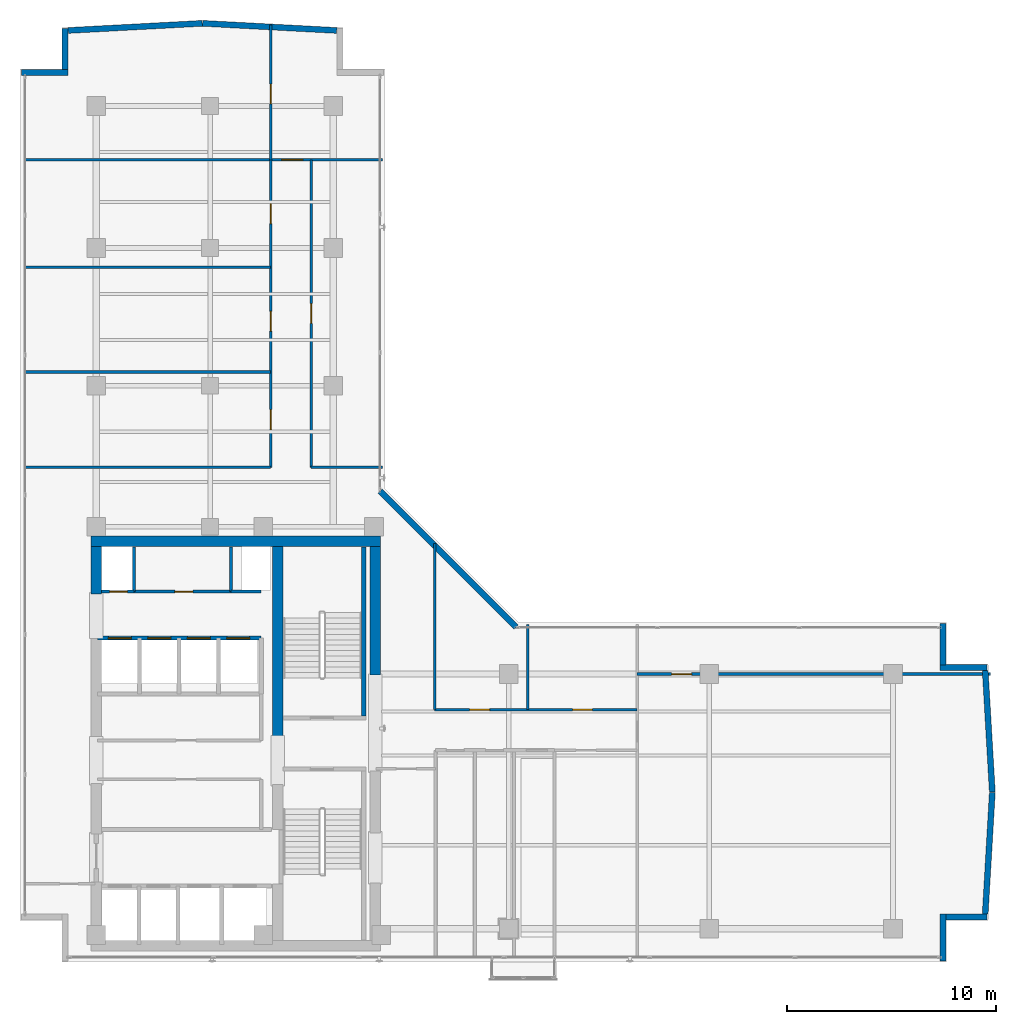
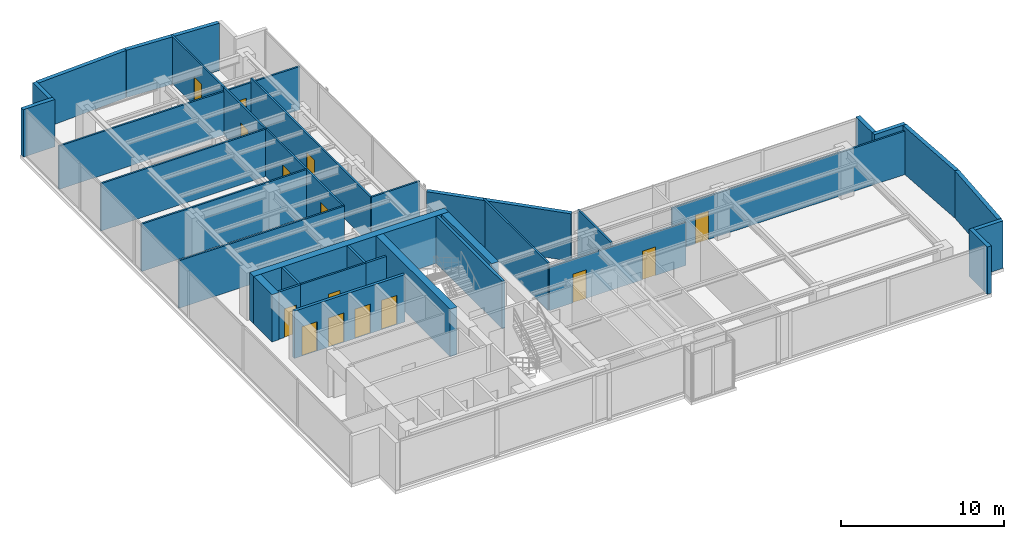
# One storey, part 18 of 22: 34 walls, 15 doors, 15 openings.
"""IFC4 building model written with IfcOpenShell, lengths in metres."""

from ifc_helpers import new_model, si_unit, direction, frame, frame_2d, origin, place, context, subcontext, project, spatial, rectangle, extrude, material, layer, layer_set, type_object, element, fill, save


model = new_model("IFC4")

# Units and contexts
model_context = context("Model", 3, precision=1e-05, world=origin(), true_north=direction((0.0, 1.0)))
body_context = subcontext(model_context, "Body", "Model", "MODEL_VIEW")
ifc_project = project(units=[si_unit("LENGTHUNIT", "METRE"), si_unit("AREAUNIT", "SQUARE_METRE"), si_unit("VOLUMEUNIT", "CUBIC_METRE"), si_unit("PLANEANGLEUNIT", "RADIAN"), si_unit("MASSUNIT", "GRAM", prefix="KILO")], contexts=[model_context])

# Site, building, storey
site_placement = place(None, origin())
site = spatial("IfcSite", under=ifc_project, at=site_placement, CompositionType="ELEMENT")
building_placement = place(site_placement, origin())
building = spatial("IfcBuilding", under=site, at=building_placement, Name="Kolvaren Waterfront Exchange", CompositionType="ELEMENT")
storey_placement = place(building_placement, frame((0.0, 0.0, 308.39990234375)))
storey = spatial("IfcBuildingStorey", under=building, at=storey_placement, Name="L79", CompositionType="ELEMENT", Elevation=308.39990234375)

# Walls
ifc_material_1 = material(Name="Precast concrete C40/50", Category="concrete")
ifc_layer_1 = layer(ifc_material_1, 0.280029296875, Name="Precast concrete C40/50")
ifc_layer_set_1 = layer_set([ifc_layer_1], Name="Precast concrete C40/50")
wall_type_1 = type_object("IfcWallType", Name="ARC-EXT-TERR-280", PredefinedType="SOLIDWALL", material=ifc_layer_set_1)
wall_1_placement = place(storey_placement, frame((47.997802734375, 3.659912109375, 0.0), z_axis=(0.0, 0.0, 1.0), x_axis=(0.0, 1.0, 0.0)))
element("IfcWall", 1, at=wall_1_placement, inside=storey, type_object=wall_type_1, Name="L79 notched corner spandrel pier SE-A", PredefinedType="SOLIDWALL", context=body_context, shape_type="SweptSolid", body=[
    extrude(rectangle(XDim=2.239990234375, YDim=0.280029296875, at=frame_2d((1.1201171875, 0.0))), origin(), (0.0, 0.0, 1.0), 3.56005859375),
])
wall_2_placement = place(storey_placement, frame((48.137939453125, 5.760009765625, 0.0), z_axis=(0.0, 0.0, 1.0), x_axis=(1.0, 0.0, 0.0)))
element("IfcWall", 2, at=wall_2_placement, inside=storey, type_object=wall_type_1, Name="L79 notched corner spandrel pier SE-B", PredefinedType="SOLIDWALL", context=body_context, shape_type="SweptSolid", body=[
    extrude(rectangle(XDim=1.9599609375, YDim=0.280029296875, at=frame_2d((0.97998046875, 0.0))), origin(), (0.0, 0.0, 1.0), 3.56005859375),
])
wall_3_placement = place(storey_placement, frame((47.997802734375, 17.838623046875, 0.0), z_axis=(0.0, 0.0, 1.0), x_axis=(0.0, 1.0, 0.0)))
element("IfcWall", 3, at=wall_3_placement, inside=storey, type_object=wall_type_1, Name="L79 notched corner spandrel pier ENE-A", PredefinedType="SOLIDWALL", context=body_context, shape_type="SweptSolid", body=[
    extrude(rectangle(XDim=1.97509765625, YDim=0.280029296875, at=frame_2d((0.987548828125, 0.0))), origin(), (0.0, 0.0, 1.0), 3.56005859375),
])
for number, where, z_axis, x_axis, name in (
    (4, (47.85791015625, 17.713623046875, 0.0), (0.0, 0.0, 1.0), (1.0, 0.0, 0.0), "L79 notched corner spandrel pier ENE-B"),
    (5, (3.860107421875, 46.197998046875, 0.0), (0.0, 0.0, 1.0), (1.0, 0.0, 0.0), "L79 notched corner spandrel pier NW-A"),
):
    element("IfcWall", number, at=place(storey_placement, frame(where, z_axis=z_axis, x_axis=x_axis)), inside=storey, type_object=wall_type_1, Name=name, PredefinedType="SOLIDWALL", context=body_context, shape_type="SweptSolid", body=[
        extrude(rectangle(XDim=2.239990234375, YDim=0.280029296875, at=frame_2d((1.1201171875, 0.0))), origin(), (0.0, 0.0, 1.0), 3.56005859375),
    ])
wall_4_placement = place(storey_placement, frame((5.9599609375, 46.337890625, 0.0), z_axis=(0.0, 0.0, 1.0), x_axis=(0.0, 1.0, 0.0)))
element("IfcWall", 6, at=wall_4_placement, inside=storey, type_object=wall_type_1, Name="L79 notched corner spandrel pier NW-B", PredefinedType="SOLIDWALL", context=body_context, shape_type="SweptSolid", body=[
    extrude(rectangle(XDim=1.9599609375, YDim=0.280029296875, at=frame_2d((0.97998046875, 0.0))), origin(), (0.0, 0.0, 1.0), 3.56005859375),
])
wall_5_placement = place(storey_placement, frame((27.55859375, 19.648681640625, 0.0), z_axis=(0.0, 0.0, 1.0), x_axis=(-0.707106781187, 0.707106781187, 0.0)))
element("IfcWall", 7, at=wall_5_placement, inside=storey, type_object=wall_type_1, Name="L79 notched corner spandrel pier ELBOW", PredefinedType="SOLIDWALL", context=body_context, shape_type="SweptSolid", body=[
    extrude(rectangle(XDim=9.20654296875, YDim=0.280029296875, at=frame_2d((4.603271484375, 0.0))), origin(), (0.0, 0.0, 1.0), 3.56005859375),
])
wall_6_placement = place(storey_placement, frame((50.015625, 5.90869140625, 0.0), z_axis=(0.0, 0.0, 1.0), x_axis=(0.058233294411, 0.99830300181, 0.0)))
element("IfcWall", 8, at=wall_6_placement, inside=storey, type_object=wall_type_1, Name="L79 east prow faceted facade wall 1", PredefinedType="SOLIDWALL", context=body_context, shape_type="SweptSolid", body=[
    extrude(rectangle(XDim=5.82763671875, YDim=0.280029296875, at=frame_2d((2.913818359375, 0.0))), origin(), (0.0, 0.0, 1.0), 3.56005859375),
])
wall_7_placement = place(storey_placement, frame((50.35498046875, 11.74755859375, 0.0), z_axis=(0.0, 0.0, 1.0), x_axis=(-0.058235730025, 0.998302859732, 0.0)))
element("IfcWall", 9, at=wall_7_placement, inside=storey, type_object=wall_type_1, Name="L79 east prow faceted facade wall 2", PredefinedType="SOLIDWALL", context=body_context, shape_type="SweptSolid", body=[
    extrude(rectangle(XDim=5.827392578125, YDim=0.280029296875, at=frame_2d((2.91357421875, 0.0))), origin(), (0.0, 0.0, 1.0), 3.56005859375),
])
for number, where, z_axis, x_axis, name in (
    (10, (18.965576171875, 48.214111328125, 0.0), (0.0, 0.0, 1.0), (-0.998592633182, 0.053035393415, 0.0), "L79 north prow faceted facade wall 1"),
    (11, (12.525390625, 48.554931640625, 0.0), (0.0, 0.0, 1.0), (-0.998592633182, -0.053035393415, 0.0), "L79 north prow faceted facade wall 2"),
):
    element("IfcWall", number, at=place(storey_placement, frame(where, z_axis=z_axis, x_axis=x_axis)), inside=storey, type_object=wall_type_1, Name=name, PredefinedType="SOLIDWALL", context=body_context, shape_type="SweptSolid", body=[
        extrude(rectangle(XDim=6.42626953125, YDim=0.280029296875, at=frame_2d((3.213134765625, 0.0))), origin(), (0.0, 0.0, 1.0), 3.56005859375),
    ])

# Wall, opening, door
ifc_material_2 = material(Name="Acoustic gypsum steel stud", Category="steel")
ifc_layer_2 = layer(ifc_material_2, 0.125, Name="Acoustic gypsum steel stud")
ifc_layer_set_2 = layer_set([ifc_layer_2], Name="Acoustic gypsum steel stud")
wall_type_2 = type_object("IfcWallType", Name="ARC-PART-125", PredefinedType="PARTITIONING", material=ifc_layer_set_2)
wall_8_placement = place(storey_placement, frame((9.25, 21.35009765625, 0.0), z_axis=(0.0, 0.0, 1.0), x_axis=(1.0, 0.0, 0.0)))
wall_8 = element("IfcWall", 12, at=wall_8_placement, inside=storey, type_object=wall_type_2, Name="L79 interior wall PW-L79-SVC-HI-S", PredefinedType="PARTITIONING", context=body_context, shape_type="SweptSolid", body=[
    extrude(rectangle(XDim=4.64990234375, YDim=0.125, at=frame_2d((2.324951171875, 0.0))), origin(), (0.0, 0.0, 1.0), 3.56005859375),
])
opening_1_placement = place(wall_8_placement, frame((1.971435546875, 0.0, 0.0)))
opening_1 = element("IfcOpeningElement", 13, at=opening_1_placement, cuts=wall_8, Name="Opening D01", PredefinedType="OPENING", context=body_context, shape_type="SweptSolid", body=[
    extrude(rectangle(XDim=0.85009765625, YDim=2.14990234375, at=frame_2d((0.425048828125, 1.074951171875))), frame((0.0, 0.072509765625, 0.0), z_axis=(0.0, -1.0, 0.0), x_axis=(1.0, 0.0, 0.0)), (0.0, 0.0, 1.0), 0.14501953125),
])
ifc_material_3 = material(Name="Oak veneer timber leaf", Category="wood")
door_type_1 = type_object("IfcDoorType", Name="ARC-DR-900", OperationType="NOTDEFINED", PredefinedType="DOOR", material=ifc_material_3)
door_1_placement = place(opening_1_placement, origin())
door_1 = element("IfcDoor", 14, at=door_1_placement, inside=storey, type_object=door_type_1, Name="L79 door DR-L79-SVC-DR-1 (D01)", OperationType="SINGLE_SWING_RIGHT", OverallHeight=2.14990234375, OverallWidth=0.85009765625, PredefinedType="DOOR", context=body_context, shape_type="SweptSolid", body=[
    extrude(rectangle(XDim=0.85009765625, YDim=2.14990234375, at=frame_2d((0.425048828125, 1.074951171875))), frame((0.0, 0.02490234375, 0.0), z_axis=(0.0, -1.0, 0.0), x_axis=(1.0, 0.0, 0.0)), (0.0, 0.0, 1.0), 0.050048828125),
])
fill(opening_1, door_1)

wall_9_placement = place(storey_placement, frame((33.35009765625, 17.39990234375, 0.0), z_axis=(0.0, 0.0, 1.0), x_axis=(1.0, 0.0, 0.0)))
wall_9 = element("IfcWall", 15, at=wall_9_placement, inside=storey, type_object=wall_type_2, Name="L79 interior wall PW-L79-ETIP-MID", PredefinedType="PARTITIONING", context=body_context, shape_type="SweptSolid", body=[
    extrude(rectangle(XDim=16.92578125, YDim=0.125, at=frame_2d((8.462890625, 0.0))), origin(), (0.0, 0.0, 1.0), 3.260009765625),
])
opening_2_placement = place(wall_9_placement, frame((1.65625, 0.0, 0.0)))
opening_2 = element("IfcOpeningElement", 16, at=opening_2_placement, cuts=wall_9, Name="Opening D02", PredefinedType="OPENING", context=body_context, shape_type="SweptSolid", body=[
    extrude(rectangle(XDim=0.949951171875, YDim=2.14990234375, at=frame_2d((0.47509765625, 1.074951171875))), frame((0.0, 0.072509765625, 0.0), z_axis=(0.0, -1.0, 0.0), x_axis=(1.0, 0.0, 0.0)), (0.0, 0.0, 1.0), 0.14501953125),
])
ifc_material_4 = material(Name="Oak veneer acoustic timber", Category="wood")
door_type_2 = type_object("IfcDoorType", Name="ARC-DR-950", OperationType="NOTDEFINED", PredefinedType="DOOR", material=ifc_material_4)
door_2_placement = place(opening_2_placement, origin())
door_2 = element("IfcDoor", 17, at=door_2_placement, inside=storey, type_object=door_type_2, Name="L79 door DR-L79-ETIP2-D (D02)", OperationType="SINGLE_SWING_RIGHT", OverallHeight=2.14990234375, OverallWidth=0.949951171875, PredefinedType="DOOR", context=body_context, shape_type="SweptSolid", body=[
    extrude(rectangle(XDim=0.949951171875, YDim=2.14990234375, at=frame_2d((0.47509765625, 1.074951171875))), frame((0.0, 0.02490234375, 0.0), z_axis=(0.0, -1.0, 0.0), x_axis=(1.0, 0.0, 0.0)), (0.0, 0.0, 1.0), 0.050048828125),
])
fill(opening_2, door_2)

# Wall
wall_10_placement = place(storey_placement, frame((23.64990234375, 15.68994140625, 0.0), z_axis=(0.0, 0.0, 1.0), x_axis=(0.0, 1.0, 0.0)))
element("IfcWall", 18, at=wall_10_placement, inside=storey, type_object=wall_type_2, Name="L79 interior wall PW-L79-EN-W0", PredefinedType="PARTITIONING", context=body_context, shape_type="SweptSolid", body=[
    extrude(rectangle(XDim=7.967529296875, YDim=0.125, at=frame_2d((3.98388671875, 0.0))), origin(), (0.0, 0.0, 1.0), 3.56005859375),
])

# Wall, openings, doors
wall_11_placement = place(storey_placement, frame((23.64990234375, 15.68994140625, 0.0), z_axis=(0.0, 0.0, 1.0), x_axis=(1.0, 0.0, 0.0)))
wall_11 = element("IfcWall", 19, at=wall_11_placement, inside=storey, type_object=wall_type_2, Name="L79 interior wall PW-L79-EN-CORR", PredefinedType="PARTITIONING", context=body_context, shape_type="SweptSolid", body=[
    extrude(rectangle(XDim=9.7001953125, YDim=0.125, at=frame_2d((4.85009765625, 0.0))), origin(), (0.0, 0.0, 1.0), 3.260009765625),
])
opening_3_placement = place(wall_11_placement, frame((1.68359375, 0.0, 0.0)))
opening_3 = element("IfcOpeningElement", 20, at=opening_3_placement, cuts=wall_11, Name="Opening D02", PredefinedType="OPENING", context=body_context, shape_type="SweptSolid", body=[
    extrude(rectangle(XDim=0.949951171875, YDim=2.14990234375, at=frame_2d((0.47509765625, 1.074951171875))), frame((0.0, 0.072509765625, 0.0), z_axis=(0.0, -1.0, 0.0), x_axis=(1.0, 0.0, 0.0)), (0.0, 0.0, 1.0), 0.14501953125),
])
opening_4_placement = place(wall_11_placement, frame((6.60498046875, 0.0, 0.0)))
opening_4 = element("IfcOpeningElement", 21, at=opening_4_placement, cuts=wall_11, Name="Opening D02", PredefinedType="OPENING", context=body_context, shape_type="SweptSolid", body=[
    extrude(rectangle(XDim=0.949951171875, YDim=2.14990234375, at=frame_2d((0.47509765625, 1.074951171875))), frame((0.0, 0.072509765625, 0.0), z_axis=(0.0, -1.0, 0.0), x_axis=(1.0, 0.0, 0.0)), (0.0, 0.0, 1.0), 0.14501953125),
])
door_3_placement = place(opening_3_placement, origin())
door_3 = element("IfcDoor", 22, at=door_3_placement, inside=storey, type_object=door_type_2, Name="L79 door DR-L79-EN-D-1 (D02)", OperationType="SINGLE_SWING_LEFT", OverallHeight=2.14990234375, OverallWidth=0.949951171875, PredefinedType="DOOR", context=body_context, shape_type="SweptSolid", body=[
    extrude(rectangle(XDim=0.949951171875, YDim=2.14990234375, at=frame_2d((0.47509765625, 1.074951171875))), frame((0.0, 0.02490234375, 0.0), z_axis=(0.0, -1.0, 0.0), x_axis=(1.0, 0.0, 0.0)), (0.0, 0.0, 1.0), 0.050048828125),
])
fill(opening_3, door_3)
door_4_placement = place(opening_4_placement, origin())
door_4 = element("IfcDoor", 23, at=door_4_placement, inside=storey, type_object=door_type_2, Name="L79 door DR-L79-EN-D-2 (D02)", OperationType="SINGLE_SWING_RIGHT", OverallHeight=2.14990234375, OverallWidth=0.949951171875, PredefinedType="DOOR", context=body_context, shape_type="SweptSolid", body=[
    extrude(rectangle(XDim=0.949951171875, YDim=2.14990234375, at=frame_2d((0.47509765625, 1.074951171875))), frame((0.0, 0.02490234375, 0.0), z_axis=(0.0, -1.0, 0.0), x_axis=(1.0, 0.0, 0.0)), (0.0, 0.0, 1.0), 0.050048828125),
])
fill(opening_4, door_4)

# Walls
wall_12_placement = place(storey_placement, frame((28.110107421875, 15.68994140625, 0.0), z_axis=(0.0, 0.0, 1.0), x_axis=(0.0, 1.0, 0.0)))
element("IfcWall", 24, at=wall_12_placement, inside=storey, type_object=wall_type_2, Name="L79 interior wall PW-L79-EN-DIV-1", PredefinedType="PARTITIONING", context=body_context, shape_type="SweptSolid", body=[
    extrude(rectangle(XDim=4.070068359375, YDim=0.125, at=frame_2d((2.03515625, 0.0))), origin(), (0.0, 0.0, 1.0), 3.56005859375),
])
wall_13_placement = place(storey_placement, frame((4.0400390625, 27.300048828125, 0.0), z_axis=(0.0, 0.0, 1.0), x_axis=(1.0, 0.0, 0.0)))
element("IfcWall", 25, at=wall_13_placement, inside=storey, type_object=wall_type_2, Name="L79 interior wall PW-L79-NW-S0", PredefinedType="PARTITIONING", context=body_context, shape_type="SweptSolid", body=[
    extrude(rectangle(XDim=11.760009765625, YDim=0.125, at=frame_2d((5.8798828125, 0.0))), origin(), (0.0, 0.0, 1.0), 3.56005859375),
])

# Wall, openings, doors
wall_14_placement = place(storey_placement, frame((15.800048828125, 27.300048828125, 0.0), z_axis=(0.0, 0.0, 1.0), x_axis=(0.0, 1.0, 0.0)))
wall_14 = element("IfcWall", 26, at=wall_14_placement, inside=storey, type_object=wall_type_2, Name="L79 interior wall PW-L79-NW-CORR", PredefinedType="PARTITIONING", context=body_context, shape_type="SweptSolid", body=[
    extrude(rectangle(XDim=14.719970703125, YDim=0.125, at=frame_2d((7.35986328125, 0.0))), origin(), (0.0, 0.0, 1.0), 3.56005859375),
])
opening_5_placement = place(wall_14_placement, frame((1.804931640625, 0.0, 0.0)))
opening_5 = element("IfcOpeningElement", 27, at=opening_5_placement, cuts=wall_14, Name="Opening D02", PredefinedType="OPENING", context=body_context, shape_type="SweptSolid", body=[
    extrude(rectangle(XDim=0.949951171875, YDim=2.14990234375, at=frame_2d((0.47509765625, 1.074951171875))), frame((0.0, 0.072509765625, 0.0), z_axis=(0.0, -1.0, 0.0), x_axis=(1.0, 0.0, 0.0)), (0.0, 0.0, 1.0), 0.14501953125),
])
opening_6_placement = place(wall_14_placement, frame((6.51904296875, 0.0, 0.0)))
opening_6 = element("IfcOpeningElement", 28, at=opening_6_placement, cuts=wall_14, Name="Opening D02", PredefinedType="OPENING", context=body_context, shape_type="SweptSolid", body=[
    extrude(rectangle(XDim=0.949951171875, YDim=2.14990234375, at=frame_2d((0.47509765625, 1.074951171875))), frame((0.0, 0.072509765625, 0.0), z_axis=(0.0, -1.0, 0.0), x_axis=(1.0, 0.0, 0.0)), (0.0, 0.0, 1.0), 0.14501953125),
])
opening_7_placement = place(wall_14_placement, frame((11.669921875, 0.0, 0.0)))
opening_7 = element("IfcOpeningElement", 29, at=opening_7_placement, cuts=wall_14, Name="Opening D02", PredefinedType="OPENING", context=body_context, shape_type="SweptSolid", body=[
    extrude(rectangle(XDim=0.949951171875, YDim=2.14990234375, at=frame_2d((0.47509765625, 1.074951171875))), frame((0.0, 0.072509765625, 0.0), z_axis=(0.0, -1.0, 0.0), x_axis=(1.0, 0.0, 0.0)), (0.0, 0.0, 1.0), 0.14501953125),
])
door_5_placement = place(opening_5_placement, origin())
door_5 = element("IfcDoor", 30, at=door_5_placement, inside=storey, type_object=door_type_2, Name="L79 door DR-L79-NW-D-1 (D02)", OperationType="SINGLE_SWING_LEFT", OverallHeight=2.14990234375, OverallWidth=0.949951171875, PredefinedType="DOOR", context=body_context, shape_type="SweptSolid", body=[
    extrude(rectangle(XDim=0.949951171875, YDim=2.14990234375, at=frame_2d((0.47509765625, 1.074951171875))), frame((0.0, 0.02490234375, 0.0), z_axis=(0.0, -1.0, 0.0), x_axis=(1.0, 0.0, 0.0)), (0.0, 0.0, 1.0), 0.050048828125),
])
fill(opening_5, door_5)
door_6_placement = place(opening_6_placement, origin())
door_6 = element("IfcDoor", 31, at=door_6_placement, inside=storey, type_object=door_type_2, Name="L79 door DR-L79-NW-D-2 (D02)", OperationType="SINGLE_SWING_RIGHT", OverallHeight=2.14990234375, OverallWidth=0.949951171875, PredefinedType="DOOR", context=body_context, shape_type="SweptSolid", body=[
    extrude(rectangle(XDim=0.949951171875, YDim=2.14990234375, at=frame_2d((0.47509765625, 1.074951171875))), frame((0.0, 0.02490234375, 0.0), z_axis=(0.0, -1.0, 0.0), x_axis=(1.0, 0.0, 0.0)), (0.0, 0.0, 1.0), 0.050048828125),
])
fill(opening_6, door_6)
door_7_placement = place(opening_7_placement, origin())
door_7 = element("IfcDoor", 32, at=door_7_placement, inside=storey, type_object=door_type_2, Name="L79 door DR-L79-NW-D-3 (D02)", OperationType="SINGLE_SWING_LEFT", OverallHeight=2.14990234375, OverallWidth=0.949951171875, PredefinedType="DOOR", context=body_context, shape_type="SweptSolid", body=[
    extrude(rectangle(XDim=0.949951171875, YDim=2.14990234375, at=frame_2d((0.47509765625, 1.074951171875))), frame((0.0, 0.02490234375, 0.0), z_axis=(0.0, -1.0, 0.0), x_axis=(1.0, 0.0, 0.0)), (0.0, 0.0, 1.0), 0.050048828125),
])
fill(opening_7, door_7)

# Walls
for number, where, z_axis, x_axis, name in (
    (33, (4.0400390625, 31.860107421875, 0.0), (0.0, 0.0, 1.0), (1.0, 0.0, 0.0), "L79 interior wall PW-L79-NW-DIV-1"),
    (34, (4.0400390625, 36.8701171875, 0.0), (0.0, 0.0, 1.0), (1.0, 0.0, 0.0), "L79 interior wall PW-L79-NW-DIV-2"),
):
    element("IfcWall", number, at=place(storey_placement, frame(where, z_axis=z_axis, x_axis=x_axis)), inside=storey, type_object=wall_type_2, Name=name, PredefinedType="PARTITIONING", context=body_context, shape_type="SweptSolid", body=[
        extrude(rectangle(XDim=11.760009765625, YDim=0.125, at=frame_2d((5.8798828125, 0.0))), origin(), (0.0, 0.0, 1.0), 3.56005859375),
    ])

# Wall, opening, door
wall_15_placement = place(storey_placement, frame((4.0400390625, 42.02001953125, 0.0), z_axis=(0.0, 0.0, 1.0), x_axis=(1.0, 0.0, 0.0)))
wall_15 = element("IfcWall", 35, at=wall_15_placement, inside=storey, type_object=wall_type_2, Name="L79 interior wall PW-L79-NTIP-S", PredefinedType="PARTITIONING", context=body_context, shape_type="SweptSolid", body=[
    extrude(rectangle(XDim=17.119873046875, YDim=0.125, at=frame_2d((8.56005859375, 0.0))), origin(), (0.0, 0.0, 1.0), 3.260009765625),
])
opening_8_placement = place(wall_15_placement, frame((12.300048828125, 0.0, 0.0)))
opening_8 = element("IfcOpeningElement", 36, at=opening_8_placement, cuts=wall_15, Name="Opening D03", PredefinedType="OPENING", context=body_context, shape_type="SweptSolid", body=[
    extrude(rectangle(XDim=1.0, YDim=2.199951171875, at=frame_2d((0.5, 1.10009765625))), frame((0.0, 0.072509765625, 0.0), z_axis=(0.0, -1.0, 0.0), x_axis=(1.0, 0.0, 0.0)), (0.0, 0.0, 1.0), 0.14501953125),
])
ifc_material_5 = material(Name="Oak veneer accessible timber", Category="wood")
door_type_3 = type_object("IfcDoorType", Name="ARC-DR-1000", OperationType="NOTDEFINED", PredefinedType="DOOR", material=ifc_material_5)
door_8_placement = place(opening_8_placement, origin())
door_8 = element("IfcDoor", 37, at=door_8_placement, inside=storey, type_object=door_type_3, Name="L79 door DR-L79-NTIPE-D (D03)", OperationType="SINGLE_SWING_RIGHT", OverallHeight=2.199951171875, OverallWidth=1.0, PredefinedType="DOOR", context=body_context, shape_type="SweptSolid", body=[
    extrude(rectangle(XDim=1.0, YDim=2.199951171875, at=frame_2d((0.5, 1.10009765625))), frame((0.0, 0.02490234375, 0.0), z_axis=(0.0, -1.0, 0.0), x_axis=(1.0, 0.0, 0.0)), (0.0, 0.0, 1.0), 0.050048828125),
])
fill(opening_8, door_8)

wall_16_placement = place(storey_placement, frame((15.800048828125, 42.02001953125, 0.0), z_axis=(0.0, 0.0, 1.0), x_axis=(0.0, 1.0, 0.0)))
wall_16 = element("IfcWall", 38, at=wall_16_placement, inside=storey, type_object=wall_type_2, Name="L79 interior wall PW-L79-NTIP-DIV", PredefinedType="PARTITIONING", context=body_context, shape_type="SweptSolid", body=[
    extrude(rectangle(XDim=6.455810546875, YDim=0.125, at=frame_2d((3.22802734375, 0.0))), origin(), (0.0, 0.0, 1.0), 3.56005859375),
])
opening_9_placement = place(wall_16_placement, frame((2.675537109375, 0.0, 0.0)))
opening_9 = element("IfcOpeningElement", 39, at=opening_9_placement, cuts=wall_16, Name="Opening D02", PredefinedType="OPENING", context=body_context, shape_type="SweptSolid", body=[
    extrude(rectangle(XDim=0.949951171875, YDim=2.14990234375, at=frame_2d((0.47509765625, 1.074951171875))), frame((0.0, 0.072509765625, 0.0), z_axis=(0.0, -1.0, 0.0), x_axis=(1.0, 0.0, 0.0)), (0.0, 0.0, 1.0), 0.14501953125),
])
door_9_placement = place(opening_9_placement, origin())
door_9 = element("IfcDoor", 40, at=door_9_placement, inside=storey, type_object=door_type_2, Name="L79 door DR-L79-NTIPW-D (D02)", OperationType="SINGLE_SWING_LEFT", OverallHeight=2.14990234375, OverallWidth=0.949951171875, PredefinedType="DOOR", context=body_context, shape_type="SweptSolid", body=[
    extrude(rectangle(XDim=0.949951171875, YDim=2.14990234375, at=frame_2d((0.47509765625, 1.074951171875))), frame((0.0, 0.02490234375, 0.0), z_axis=(0.0, -1.0, 0.0), x_axis=(1.0, 0.0, 0.0)), (0.0, 0.0, 1.0), 0.050048828125),
])
fill(opening_9, door_9)

# Wall
wall_17_placement = place(storey_placement, frame((17.739990234375, 27.300048828125, 0.0), z_axis=(0.0, 0.0, 1.0), x_axis=(1.0, 0.0, 0.0)))
element("IfcWall", 41, at=wall_17_placement, inside=storey, type_object=wall_type_2, Name="L79 interior wall PW-L79-NE-S0", PredefinedType="PARTITIONING", context=body_context, shape_type="SweptSolid", body=[
    extrude(rectangle(XDim=3.419921875, YDim=0.125, at=frame_2d((1.7099609375, 0.0))), origin(), (0.0, 0.0, 1.0), 3.56005859375),
])

# Wall, opening, door
wall_18_placement = place(storey_placement, frame((17.739990234375, 27.300048828125, 0.0), z_axis=(0.0, 0.0, 1.0), x_axis=(0.0, 1.0, 0.0)))
wall_18 = element("IfcWall", 42, at=wall_18_placement, inside=storey, type_object=wall_type_2, Name="L79 interior wall PW-L79-NE-CORR", PredefinedType="PARTITIONING", context=body_context, shape_type="SweptSolid", body=[
    extrude(rectangle(XDim=14.719970703125, YDim=0.125, at=frame_2d((7.35986328125, 0.0))), origin(), (0.0, 0.0, 1.0), 3.56005859375),
])
opening_10_placement = place(wall_18_placement, frame((6.885009765625, 0.0, 0.0)))
opening_10 = element("IfcOpeningElement", 43, at=opening_10_placement, cuts=wall_18, Name="Opening D02", PredefinedType="OPENING", context=body_context, shape_type="SweptSolid", body=[
    extrude(rectangle(XDim=0.949951171875, YDim=2.14990234375, at=frame_2d((0.47509765625, 1.074951171875))), frame((0.0, 0.072509765625, 0.0), z_axis=(0.0, -1.0, 0.0), x_axis=(1.0, 0.0, 0.0)), (0.0, 0.0, 1.0), 0.14501953125),
])
door_10_placement = place(opening_10_placement, origin())
door_10 = element("IfcDoor", 44, at=door_10_placement, inside=storey, type_object=door_type_2, Name="L79 door DR-L79-NE-D-1 (D02)", OperationType="SINGLE_SWING_RIGHT", OverallHeight=2.14990234375, OverallWidth=0.949951171875, PredefinedType="DOOR", context=body_context, shape_type="SweptSolid", body=[
    extrude(rectangle(XDim=0.949951171875, YDim=2.14990234375, at=frame_2d((0.47509765625, 1.074951171875))), frame((0.0, 0.02490234375, 0.0), z_axis=(0.0, -1.0, 0.0), x_axis=(1.0, 0.0, 0.0)), (0.0, 0.0, 1.0), 0.050048828125),
])
fill(opening_10, door_10)

# Walls
ifc_material_6 = material(Name="Gypsum fireboard steel stud", Category="steel")
ifc_layer_3 = layer(ifc_material_6, 0.14990234375, Name="Gypsum fireboard steel stud")
ifc_layer_set_3 = layer_set([ifc_layer_3], Name="Gypsum fireboard steel stud")
wall_type_3 = type_object("IfcWallType", Name="ARC-PART-150", PredefinedType="PARTITIONING", material=ifc_layer_set_3)
for number, where, z_axis, x_axis, name in (
    (45, (9.25, 21.35009765625, 0.0), (0.0, 0.0, 1.0), (0.0, 1.0, 0.0), "L79 interior wall PW-L79-SVC-R1"),
    (46, (13.89990234375, 21.35009765625, 0.0), (0.0, 0.0, 1.0), (0.0, 1.0, 0.0), "L79 interior wall PW-L79-SVC-R2"),
):
    element("IfcWall", number, at=place(storey_placement, frame(where, z_axis=z_axis, x_axis=x_axis)), inside=storey, type_object=wall_type_3, Name=name, PredefinedType="PARTITIONING", context=body_context, shape_type="SweptSolid", body=[
        extrude(rectangle(XDim=2.1298828125, YDim=0.14990234375, at=frame_2d((1.06494140625, 0.0))), origin(), (0.0, 0.0, 1.0), 3.56005859375),
    ])

# Wall, opening, door
wall_19_placement = place(storey_placement, frame((7.699951171875, 21.35009765625, 0.0), z_axis=(0.0, 0.0, 1.0), x_axis=(1.0, 0.0, 0.0)))
wall_19 = element("IfcWall", 47, at=wall_19_placement, inside=storey, type_object=wall_type_3, Name="L79 interior wall PW-L79-SVC-RE-S", PredefinedType="PARTITIONING", context=body_context, shape_type="SweptSolid", body=[
    extrude(rectangle(XDim=1.550048828125, YDim=0.14990234375, at=frame_2d((0.77490234375, 0.0))), origin(), (0.0, 0.0, 1.0), 3.56005859375),
])
opening_11_placement = place(wall_19_placement, frame((0.389892578125, 0.0, 0.0)))
opening_11 = element("IfcOpeningElement", 48, at=opening_11_placement, cuts=wall_19, Name="Opening FD1", PredefinedType="OPENING", context=body_context, shape_type="SweptSolid", body=[
    extrude(rectangle(XDim=0.85009765625, YDim=2.14990234375, at=frame_2d((0.425048828125, 1.074951171875))), frame((0.0, 0.0849609375, 0.0), z_axis=(0.0, -1.0, 0.0), x_axis=(1.0, 0.0, 0.0)), (0.0, 0.0, 1.0), 0.169921875),
])
ifc_material_7 = material(Name="Pressed steel fire leaf", Category="steel")
door_type_4 = type_object("IfcDoorType", Name="ARC-FD-900", OperationType="NOTDEFINED", PredefinedType="DOOR", material=ifc_material_7)
door_11_placement = place(opening_11_placement, origin())
door_11 = element("IfcDoor", 49, at=door_11_placement, inside=storey, type_object=door_type_4, Name="L79 door DR-L79-RISER-E-DR (FD1)", OperationType="SINGLE_SWING_LEFT", OverallHeight=2.14990234375, OverallWidth=0.85009765625, PredefinedType="DOOR", context=body_context, shape_type="SweptSolid", body=[
    extrude(rectangle(XDim=0.85009765625, YDim=2.14990234375, at=frame_2d((0.425048828125, 1.074951171875))), frame((0.0, 0.02490234375, 0.0), z_axis=(0.0, -1.0, 0.0), x_axis=(1.0, 0.0, 0.0)), (0.0, 0.0, 1.0), 0.050048828125),
])
fill(opening_11, door_11)

# Walls
wall_20_placement = place(storey_placement, frame((13.89990234375, 21.35009765625, 0.0), z_axis=(0.0, 0.0, 1.0), x_axis=(1.0, 0.0, 0.0)))
element("IfcWall", 50, at=wall_20_placement, inside=storey, type_object=wall_type_3, Name="L79 interior wall PW-L79-SVC-RP-S", PredefinedType="PARTITIONING", context=body_context, shape_type="SweptSolid", body=[
    extrude(rectangle(XDim=1.4501953125, YDim=0.14990234375, at=frame_2d((0.72509765625, 0.0))), origin(), (0.0, 0.0, 1.0), 3.56005859375),
])
ifc_material_8 = material(Name="Concrete C40/50", Category="concrete")
ifc_layer_4 = layer(ifc_material_8, 0.199951171875, Name="Concrete C40/50")
ifc_layer_set_4 = layer_set([ifc_layer_4], Name="Concrete C40/50")
wall_type_4 = type_object("IfcWallType", Name="ARC-SHAFT-200", PredefinedType="PARTITIONING", material=ifc_layer_set_4)
wall_21_placement = place(storey_placement, frame((20.260009765625, 15.39990234375, 0.0), z_axis=(0.0, 0.0, 1.0), x_axis=(0.0, 1.0, 0.0)))
element("IfcWall", 51, at=wall_21_placement, inside=storey, type_object=wall_type_4, Name="L79 structural stairwell wall PW-L79-ST2-E", PredefinedType="SHEAR", context=body_context, shape_type="SweptSolid", body=[
    extrude(rectangle(XDim=8.090087890625, YDim=0.199951171875, at=frame_2d((4.044921875, 0.0))), origin(), (0.0, 0.0, 1.0), 3.56005859375),
])

# Wall, openings, doors
wall_22_placement = place(storey_placement, frame((7.5, 19.1201171875, 0.0), z_axis=(0.0, 0.0, 1.0), x_axis=(1.0, 0.0, 0.0)))
wall_22 = element("IfcWall", 52, at=wall_22_placement, inside=storey, type_object=wall_type_4, Name="L79 interior wall PW-L79-PH-N", PredefinedType="PARTITIONING", context=body_context, shape_type="SweptSolid", body=[
    extrude(rectangle(XDim=7.85009765625, YDim=0.199951171875, at=frame_2d((3.925048828125, 0.0))), origin(), (0.0, 0.0, 1.0), 3.56005859375),
])
opening_12_placement = place(wall_22_placement, frame((0.530029296875, 0.0, 0.0)))
opening_12 = element("IfcOpeningElement", 53, at=opening_12_placement, cuts=wall_22, Name="Opening LD2", PredefinedType="OPENING", context=body_context, shape_type="SweptSolid", body=[
    extrude(rectangle(XDim=1.10009765625, YDim=2.199951171875, at=frame_2d((0.550048828125, 1.10009765625))), frame((0.0, 0.10986328125, 0.0), z_axis=(0.0, -1.0, 0.0), x_axis=(1.0, 0.0, 0.0)), (0.0, 0.0, 1.0), 0.219970703125),
])
opening_13_placement = place(wall_22_placement, frame((2.419921875, 0.0, 0.0)))
opening_13 = element("IfcOpeningElement", 54, at=opening_13_placement, cuts=wall_22, Name="Opening LD2", PredefinedType="OPENING", context=body_context, shape_type="SweptSolid", body=[
    extrude(rectangle(XDim=1.10009765625, YDim=2.199951171875, at=frame_2d((0.550048828125, 1.10009765625))), frame((0.0, 0.10986328125, 0.0), z_axis=(0.0, -1.0, 0.0), x_axis=(1.0, 0.0, 0.0)), (0.0, 0.0, 1.0), 0.219970703125),
])
opening_14_placement = place(wall_22_placement, frame((4.31005859375, 0.0, 0.0)))
opening_14 = element("IfcOpeningElement", 55, at=opening_14_placement, cuts=wall_22, Name="Opening LD2", PredefinedType="OPENING", context=body_context, shape_type="SweptSolid", body=[
    extrude(rectangle(XDim=1.10009765625, YDim=2.199951171875, at=frame_2d((0.550048828125, 1.10009765625))), frame((0.0, 0.10986328125, 0.0), z_axis=(0.0, -1.0, 0.0), x_axis=(1.0, 0.0, 0.0)), (0.0, 0.0, 1.0), 0.219970703125),
])
opening_15_placement = place(wall_22_placement, frame((6.199951171875, 0.0, 0.0)))
opening_15 = element("IfcOpeningElement", 56, at=opening_15_placement, cuts=wall_22, Name="Opening LD2", PredefinedType="OPENING", context=body_context, shape_type="SweptSolid", body=[
    extrude(rectangle(XDim=1.10009765625, YDim=2.199951171875, at=frame_2d((0.550048828125, 1.10009765625))), frame((0.0, 0.10986328125, 0.0), z_axis=(0.0, -1.0, 0.0), x_axis=(1.0, 0.0, 0.0)), (0.0, 0.0, 1.0), 0.219970703125),
])
ifc_material_9 = material(Name="Brushed bronze sliding landing door", Category="aluminium")
door_type_5 = type_object("IfcDoorType", Name="ARC-LD-PAX", OperationType="SLIDING_TO_LEFT", PredefinedType="DOOR", material=ifc_material_9)
door_12_placement = place(opening_12_placement, origin())
door_12 = element("IfcDoor", 57, at=door_12_placement, inside=storey, type_object=door_type_5, Name="L79 door LD-L79-PH1 (LD2)", OperationType="SLIDING_TO_LEFT", OverallHeight=2.199951171875, OverallWidth=1.10009765625, PredefinedType="DOOR", context=body_context, shape_type="SweptSolid", body=[
    extrude(rectangle(XDim=1.10009765625, YDim=2.199951171875, at=frame_2d((0.550048828125, 1.10009765625))), frame((0.0, 0.02490234375, 0.0), z_axis=(0.0, -1.0, 0.0), x_axis=(1.0, 0.0, 0.0)), (0.0, 0.0, 1.0), 0.050048828125),
])
fill(opening_12, door_12)
door_13_placement = place(opening_13_placement, origin())
door_13 = element("IfcDoor", 58, at=door_13_placement, inside=storey, type_object=door_type_5, Name="L79 door LD-L79-PH2 (LD2)", OperationType="SLIDING_TO_LEFT", OverallHeight=2.199951171875, OverallWidth=1.10009765625, PredefinedType="DOOR", context=body_context, shape_type="SweptSolid", body=[
    extrude(rectangle(XDim=1.10009765625, YDim=2.199951171875, at=frame_2d((0.550048828125, 1.10009765625))), frame((0.0, 0.02490234375, 0.0), z_axis=(0.0, -1.0, 0.0), x_axis=(1.0, 0.0, 0.0)), (0.0, 0.0, 1.0), 0.050048828125),
])
fill(opening_13, door_13)
door_14_placement = place(opening_14_placement, origin())
door_14 = element("IfcDoor", 59, at=door_14_placement, inside=storey, type_object=door_type_5, Name="L79 door LD-L79-PH3 (LD2)", OperationType="SLIDING_TO_LEFT", OverallHeight=2.199951171875, OverallWidth=1.10009765625, PredefinedType="DOOR", context=body_context, shape_type="SweptSolid", body=[
    extrude(rectangle(XDim=1.10009765625, YDim=2.199951171875, at=frame_2d((0.550048828125, 1.10009765625))), frame((0.0, 0.02490234375, 0.0), z_axis=(0.0, -1.0, 0.0), x_axis=(1.0, 0.0, 0.0)), (0.0, 0.0, 1.0), 0.050048828125),
])
fill(opening_14, door_14)
door_15_placement = place(opening_15_placement, origin())
door_15 = element("IfcDoor", 60, at=door_15_placement, inside=storey, type_object=door_type_5, Name="L79 door LD-L79-PH4 (LD2)", OperationType="SLIDING_TO_LEFT", OverallHeight=2.199951171875, OverallWidth=1.10009765625, PredefinedType="DOOR", context=body_context, shape_type="SweptSolid", body=[
    extrude(rectangle(XDim=1.10009765625, YDim=2.199951171875, at=frame_2d((0.550048828125, 1.10009765625))), frame((0.0, 0.02490234375, 0.0), z_axis=(0.0, -1.0, 0.0), x_axis=(1.0, 0.0, 0.0)), (0.0, 0.0, 1.0), 0.050048828125),
])
fill(opening_15, door_15)

# Walls
ifc_material_10 = material(Name="Concrete C50/60", Category="concrete")
ifc_layer_5 = layer(ifc_material_10, 0.5, Name="Concrete C50/60")
ifc_layer_set_5 = layer_set([ifc_layer_5], Name="Concrete C50/60")
wall_type_5 = type_object("IfcWallType", Name="STR-CWALL-500", PredefinedType="SHEAR", material=ifc_layer_set_5)
wall_23_placement = place(storey_placement, frame((7.199951171875, 23.75, 0.0), z_axis=(0.0, 0.0, 1.0), x_axis=(1.0, 0.0, 0.0)))
element("IfcWall", 61, at=wall_23_placement, inside=storey, type_object=wall_type_5, Name="L79 rear-core shear wall N", PredefinedType="SHEAR", context=body_context, shape_type="SweptSolid", body=[
    extrude(rectangle(XDim=13.85009765625, YDim=0.5, at=frame_2d((6.925048828125, 0.0))), origin(), (0.0, 0.0, 1.0), 3.56005859375),
])
wall_24_placement = place(storey_placement, frame((7.449951171875, 21.239990234375, 0.0), z_axis=(0.0, 0.0, 1.0), x_axis=(0.0, 1.0, 0.0)))
element("IfcWall", 62, at=wall_24_placement, inside=storey, type_object=wall_type_5, Name="L79 rear-core shear wall W3", PredefinedType="SHEAR", context=body_context, shape_type="SweptSolid", body=[
    extrude(rectangle(XDim=2.260009765625, YDim=0.5, at=frame_2d((1.1298828125, 0.0))), origin(), (0.0, 0.0, 1.0), 3.56005859375),
])
wall_25_placement = place(storey_placement, frame((20.800048828125, 17.35009765625, 0.0), z_axis=(0.0, 0.0, 1.0), x_axis=(0.0, 1.0, 0.0)))
element("IfcWall", 63, at=wall_25_placement, inside=storey, type_object=wall_type_5, Name="L79 rear-core shear wall E3", PredefinedType="SHEAR", context=body_context, shape_type="SweptSolid", body=[
    extrude(rectangle(XDim=6.14990234375, YDim=0.5, at=frame_2d((3.074951171875, 0.0))), origin(), (0.0, 0.0, 1.0), 3.56005859375),
])
wall_26_placement = place(storey_placement, frame((16.14990234375, 14.39990234375, 0.0), z_axis=(0.0, 0.0, 1.0), x_axis=(0.0, 1.0, 0.0)))
element("IfcWall", 64, at=wall_26_placement, inside=storey, type_object=wall_type_5, Name="L79 rear-core shear wall M3", PredefinedType="SHEAR", context=body_context, shape_type="SweptSolid", body=[
    extrude(rectangle(XDim=9.10009765625, YDim=0.5, at=frame_2d((4.550048828125, 0.0))), origin(), (0.0, 0.0, 1.0), 3.56005859375),
])

save(model, "model.ifc")
